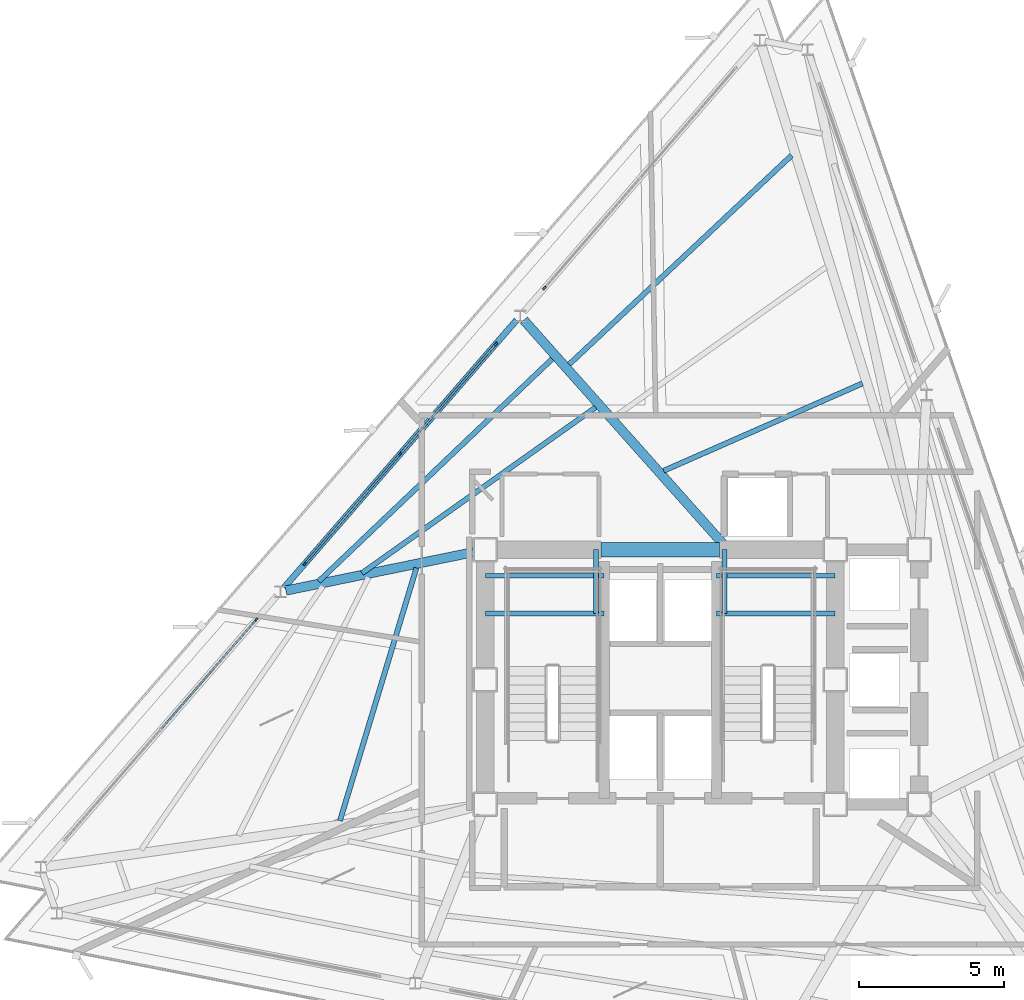
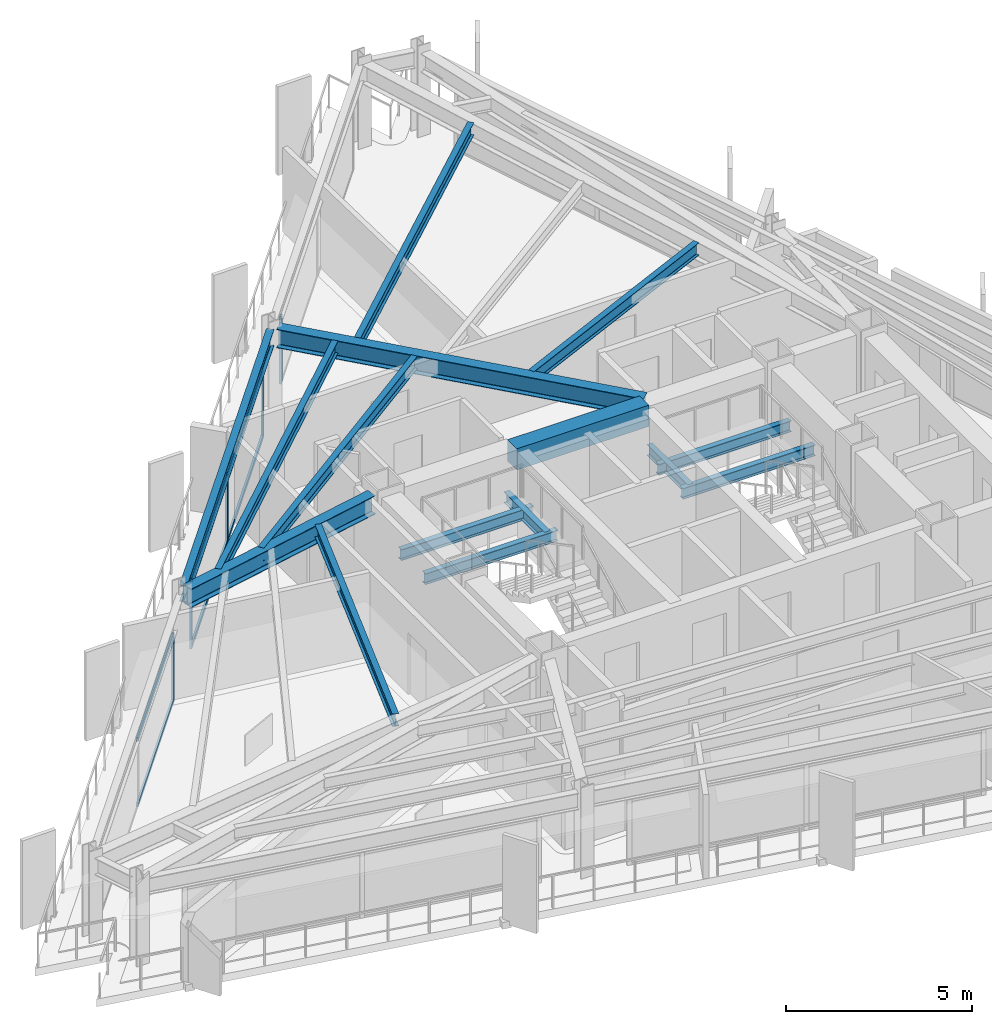
# One storey, part 4 of 13: 15 beams, 11 members, 3 elements without a shape of their own.
"""IFC4 building model written with IfcOpenShell, lengths in metres."""

from ifc_helpers import new_model, si_unit, direction, frame, origin, origin_2d, place, context, subcontext, project, spatial, rectangle, i_section, extrude, material, layer, layer_set, material_profile, profile_set, type_object, element, aggregate, save


model = new_model("IFC4")

# Units and contexts
model_context = context("Model", 3, precision=1e-05, world=origin(), true_north=direction((0.0, 1.0)))
body_context = subcontext(model_context, "Body", "Model", "MODEL_VIEW")
ifc_project = project(units=[si_unit("LENGTHUNIT", "METRE"), si_unit("AREAUNIT", "SQUARE_METRE"), si_unit("VOLUMEUNIT", "CUBIC_METRE"), si_unit("PLANEANGLEUNIT", "RADIAN"), si_unit("MASSUNIT", "GRAM", prefix="KILO")], contexts=[model_context])

# Site, building, storey
site_placement = place(None, origin())
site = spatial("IfcSite", under=ifc_project, at=site_placement, CompositionType="ELEMENT")
building_placement = place(site_placement, origin())
building = spatial("IfcBuilding", under=site, at=building_placement, Name="Rocaltana Carrier Exchange", CompositionType="ELEMENT")
storey_placement = place(building_placement, frame((0.0, 0.0, 156.320068359375)))
storey = spatial("IfcBuildingStorey", under=building, at=storey_placement, Name="L49", CompositionType="ELEMENT", Elevation=156.320068359375)

# Curtain wall, member
ifc_material_1 = material(Name="Aluminium 6063-T6", Category="aluminium")
ifc_layer = layer(ifc_material_1, 0.135009765625)
ifc_layer_set = layer_set([ifc_layer], Name="Aluminium 6063-T6")
curtain_wall_type = type_object("IfcCurtainWallType", Name="Upper-Mid Acoustic Curtain Wall CW-04", PredefinedType="NOTDEFINED", material=ifc_layer_set)
curtain_wall_1_placement = place(storey_placement, origin())
curtain_wall_1 = element("IfcCurtainWall", 1, at=curtain_wall_1_placement, inside=storey, type_object=curtain_wall_type, Name="L49 CW-04 Run CW-L49-F2S1", PredefinedType="NOTDEFINED")
ifc_material_2 = material(Name="Aluminium 6063-T6", Category="aluminium")
ifc_material_profile_1 = material_profile(ifc_material_2, rectangle(XDim=0.06494140625, YDim=0.135009765625, at=origin_2d()), Name="AL-65X135")
ifc_profile_set_1 = profile_set([ifc_material_profile_1], Name="Aluminium 6063-T6")
member_type_1 = type_object("IfcMemberType", Name="CW-04 Mullion AL-65X135", PredefinedType="MULLION", material=ifc_profile_set_1)
member_1_placement = place(storey_placement, frame((-4.005859375, 13.55126953125, 0.0), z_axis=(0.0, 0.0, 1.0), x_axis=(0.75471173919, -0.656056545375, 0.0)))
member_1 = element("IfcMember", 2, at=member_1_placement, type_object=member_type_1, Name="CW-04 mullion 3", PredefinedType="MULLION", context=body_context, shape_type="SweptSolid", body=[
    extrude(rectangle(XDim=0.06494140625, YDim=0.135009765625, at=origin_2d()), origin(), (0.0, 0.0, 1.0), 2.218017578125),
])
aggregate(curtain_wall_1, [member_1])

# Curtain wall, members
curtain_wall_2_placement = place(storey_placement, origin())
curtain_wall_2 = element("IfcCurtainWall", 3, at=curtain_wall_2_placement, inside=storey, type_object=curtain_wall_type, Name="L49 CW-04 Run CW-L49-F2S2", PredefinedType="NOTDEFINED")
member_2_placement = place(storey_placement, frame((-5.688720703125, 11.615478515625, 0.0), z_axis=(0.0, 0.0, 1.0), x_axis=(0.75471173919, -0.656056545375, 0.0)))
member_2 = element("IfcMember", 4, at=member_2_placement, type_object=member_type_1, Name="CW-04 mullion 1", PredefinedType="MULLION", context=body_context, shape_type="SweptSolid", body=[
    extrude(rectangle(XDim=0.06494140625, YDim=0.135009765625, at=origin_2d()), origin(), (0.0, 0.0, 1.0), 2.218017578125),
])
member_3_placement = place(storey_placement, frame((-8.9912109375, 7.816162109375, 0.0), z_axis=(0.0, 0.0, 1.0), x_axis=(0.75471173919, -0.656056545375, 0.0)))
member_3 = element("IfcMember", 5, at=member_3_placement, type_object=member_type_1, Name="CW-04 mullion 2", PredefinedType="MULLION", context=body_context, shape_type="SweptSolid", body=[
    extrude(rectangle(XDim=0.06494140625, YDim=0.135009765625, at=origin_2d()), origin(), (0.0, 0.0, 1.0), 2.218017578125),
])
member_4_placement = place(storey_placement, frame((-12.2939453125, 4.016845703125, 0.0), z_axis=(0.0, 0.0, 1.0), x_axis=(0.75471173919, -0.656056545375, 0.0)))
member_4 = element("IfcMember", 6, at=member_4_placement, type_object=member_type_1, Name="CW-04 mullion 3", PredefinedType="MULLION", context=body_context, shape_type="SweptSolid", body=[
    extrude(rectangle(XDim=0.06494140625, YDim=0.135009765625, at=origin_2d()), origin(), (0.0, 0.0, 1.0), 2.218017578125),
])

# Curtain wall, member
curtain_wall_3_placement = place(storey_placement, origin())
curtain_wall_3 = element("IfcCurtainWall", 7, at=curtain_wall_3_placement, inside=storey, type_object=curtain_wall_type, Name="L49 CW-04 Run CW-L49-F2S3", PredefinedType="NOTDEFINED")
member_5_placement = place(storey_placement, frame((-13.976806640625, 2.080810546875, 0.0), z_axis=(0.0, 0.0, 1.0), x_axis=(0.75471173919, -0.656056545375, 0.0)))
member_5 = element("IfcMember", 8, at=member_5_placement, type_object=member_type_1, Name="CW-04 mullion 1", PredefinedType="MULLION", context=body_context, shape_type="SweptSolid", body=[
    extrude(rectangle(XDim=0.06494140625, YDim=0.135009765625, at=origin_2d()), origin(), (0.0, 0.0, 1.0), 2.218017578125),
])

# Member
ifc_material_3 = material(Name="Aluminium 6063-T6", Category="aluminium")
ifc_material_profile_2 = material_profile(ifc_material_3, rectangle(XDim=0.06494140625, YDim=0.135009765625, at=origin_2d()), Name="AL-65X135")
ifc_profile_set_2 = profile_set([ifc_material_profile_2], Name="Aluminium 6063-T6")
member_type_2 = type_object("IfcMemberType", Name="CW-04 Transom AL-65X135", PredefinedType="USERDEFINED", material=ifc_profile_set_2)
member_6_placement = place(storey_placement, frame((-5.7099609375, 11.5908203125, 0.032470703125), z_axis=(-0.656055850486, -0.754712343243, 0.0), x_axis=(0.754712343243, -0.656055850486, 0.0)))
member_6 = element("IfcMember", 9, at=member_6_placement, type_object=member_type_2, Name="CW-04 transom 1.1", ObjectType="TRANSOM", PredefinedType="USERDEFINED", context=body_context, shape_type="SweptSolid", body=[
    extrude(rectangle(XDim=0.06494140625, YDim=0.135009765625, at=origin_2d()), origin(), (0.0, 0.0, 1.0), 4.968994140625),
])

member_7_placement = place(storey_placement, frame((-5.7099609375, 11.5908203125, 2.185546875), z_axis=(-0.656055850486, -0.754712343243, 0.0), x_axis=(0.754712343243, -0.656055850486, 0.0)))
member_7 = element("IfcMember", 10, at=member_7_placement, type_object=member_type_2, Name="CW-04 transom 1.2", ObjectType="TRANSOM", PredefinedType="USERDEFINED", context=body_context, shape_type="SweptSolid", body=[
    extrude(rectangle(XDim=0.06494140625, YDim=0.135009765625, at=origin_2d()), origin(), (0.0, 0.0, 1.0), 4.968994140625),
])

member_8_placement = place(storey_placement, frame((-9.0126953125, 7.79150390625, 0.032470703125), z_axis=(-0.656055850486, -0.754712343243, 0.0), x_axis=(0.754712343243, -0.656055850486, 0.0)))
member_8 = element("IfcMember", 11, at=member_8_placement, type_object=member_type_2, Name="CW-04 transom 2.1", ObjectType="TRANSOM", PredefinedType="USERDEFINED", context=body_context, shape_type="SweptSolid", body=[
    extrude(rectangle(XDim=0.06494140625, YDim=0.135009765625, at=origin_2d()), origin(), (0.0, 0.0, 1.0), 4.968994140625),
])

member_9_placement = place(storey_placement, frame((-9.0126953125, 7.79150390625, 2.185546875), z_axis=(-0.656055850486, -0.754712343243, 0.0), x_axis=(0.754712343243, -0.656055850486, 0.0)))
member_9 = element("IfcMember", 12, at=member_9_placement, type_object=member_type_2, Name="CW-04 transom 2.2", ObjectType="TRANSOM", PredefinedType="USERDEFINED", context=body_context, shape_type="SweptSolid", body=[
    extrude(rectangle(XDim=0.06494140625, YDim=0.135009765625, at=origin_2d()), origin(), (0.0, 0.0, 1.0), 4.968994140625),
])

aggregate(curtain_wall_2, [member_2, member_3, member_4, member_6, member_7, member_8, member_9])

member_10_placement = place(storey_placement, frame((-13.998046875, 2.056396484375, 0.032470703125), z_axis=(-0.656055850486, -0.754712343243, 0.0), x_axis=(0.754712343243, -0.656055850486, 0.0)))
member_10 = element("IfcMember", 13, at=member_10_placement, type_object=member_type_2, Name="CW-04 transom 1.1", ObjectType="TRANSOM", PredefinedType="USERDEFINED", context=body_context, shape_type="SweptSolid", body=[
    extrude(rectangle(XDim=0.06494140625, YDim=0.135009765625, at=origin_2d()), origin(), (0.0, 0.0, 1.0), 4.968994140625),
])

member_11_placement = place(storey_placement, frame((-13.998046875, 2.056396484375, 2.185546875), z_axis=(-0.656055850486, -0.754712343243, 0.0), x_axis=(0.754712343243, -0.656055850486, 0.0)))
member_11 = element("IfcMember", 14, at=member_11_placement, type_object=member_type_2, Name="CW-04 transom 1.2", ObjectType="TRANSOM", PredefinedType="USERDEFINED", context=body_context, shape_type="SweptSolid", body=[
    extrude(rectangle(XDim=0.06494140625, YDim=0.135009765625, at=origin_2d()), origin(), (0.0, 0.0, 1.0), 4.968994140625),
])

aggregate(curtain_wall_3, [member_5, member_10, member_11])

# Beams
ifc_material_4 = material(Name="Concrete C60/75", Category="concrete")
ifc_material_profile_3 = material_profile(ifc_material_4, rectangle(XDim=0.5, YDim=0.699951171875, at=origin_2d()), Name="RC-BM-500X700")
ifc_profile_set_3 = profile_set([ifc_material_profile_3], Name="Concrete C60/75")
beam_type_1 = type_object("IfcBeamType", Name="Core Coupling Lintel 500x700", PredefinedType="LINTEL", material=ifc_profile_set_3)
beam_1_placement = place(storey_placement, frame((-2.050048828125, 4.5, 2.43798828125), z_axis=(1.0, 0.0, 0.0), x_axis=(0.0, 1.0, 0.0)))
element("IfcBeam", 15, at=beam_1_placement, inside=storey, type_object=beam_type_1, Name="L49 Core Coupling Lintel CL-N", PredefinedType="LINTEL", context=body_context, shape_type="SweptSolid", body=[
    extrude(rectangle(XDim=0.5, YDim=0.699951171875, at=origin_2d()), origin(), (0.0, 0.0, 1.0), 4.10009765625),
])
ifc_material_5 = material(Name="Steel S355", Category="steel")
ifc_material_profile_4 = material_profile(ifc_material_5, i_section(OverallWidth=0.172119140625, OverallDepth=0.35791015625, WebThickness=0.0078125, FlangeThickness=0.01318359375, FilletRadius=0.011962890625, at=origin_2d()), Name="W14X38")
ifc_profile_set_4 = profile_set([ifc_material_profile_4], Name="Steel S355")
beam_type_2 = type_object("IfcBeamType", Name="Floor Joist W14X38", PredefinedType="JOIST", material=ifc_profile_set_4)
for number, where, z_axis, x_axis, name in (
    (16, (-6.050048828125, 2.300048828125, 1.140869140625), (1.0, 0.0, 0.0), (0.0, 1.0, 0.0), "L49 ST-1 Landing Carrier 1"),
    (17, (1.93994140625, 2.300048828125, 1.140869140625), (1.0, 0.0, 0.0), (0.0, 1.0, 0.0), "L49 ST-2 Landing Carrier 1"),
    (18, (-6.050048828125, 3.60009765625, 1.140869140625), (1.0, 0.0, 0.0), (0.0, 1.0, 0.0), "L49 ST-1 Landing Carrier 2"),
    (19, (1.93994140625, 3.60009765625, 1.140869140625), (1.0, 0.0, 0.0), (0.0, 1.0, 0.0), "L49 ST-2 Landing Carrier 2"),
):
    element("IfcBeam", number, at=place(storey_placement, frame(where, z_axis=z_axis, x_axis=x_axis)), inside=storey, type_object=beam_type_2, Name=name, PredefinedType="JOIST", context=body_context, shape_type="SweptSolid", body=[
        extrude(i_section(OverallWidth=0.172119140625, OverallDepth=0.35791015625, WebThickness=0.0078125, FlangeThickness=0.01318359375, FilletRadius=0.011962890625, at=origin_2d()), origin(), (0.0, 0.0, 1.0), 4.110107421875),
    ])
for number, where, z_axis, x_axis, name in (
    (20, (-2.219970703125, 2.300048828125, 1.140869140625), (0.0, 1.0, 0.0), (-1.0, 0.0, 0.0), "L49 ST-1 Landing Cross Trimmer"),
    (21, (2.219970703125, 2.300048828125, 1.140869140625), (0.0, 1.0, 0.0), (-1.0, 0.0, 0.0), "L49 ST-2 Landing Cross Trimmer"),
):
    element("IfcBeam", number, at=place(storey_placement, frame(where, z_axis=z_axis, x_axis=x_axis)), inside=storey, type_object=beam_type_2, Name=name, PredefinedType="JOIST", context=body_context, shape_type="SweptSolid", body=[
        extrude(i_section(OverallWidth=0.172119140625, OverallDepth=0.35791015625, WebThickness=0.0078125, FlangeThickness=0.01318359375, FilletRadius=0.011962890625, at=origin_2d()), origin(), (0.0, 0.0, 1.0), 2.199951171875),
    ])
ifc_material_6 = material(Name="Steel S355", Category="steel")
ifc_material_profile_5 = material_profile(ifc_material_6, i_section(OverallWidth=0.179931640625, OverallDepth=0.4130859375, WebThickness=0.009765625, FlangeThickness=0.01611328125, FilletRadius=0.012939453125, at=origin_2d()), Name="W16X50")
ifc_profile_set_5 = profile_set([ifc_material_profile_5], Name="Steel S355")
beam_type_3 = type_object("IfcBeamType", Name="Floor Joist W16X50", PredefinedType="JOIST", material=ifc_profile_set_5)
beam_2_placement = place(storey_placement, frame((6.9892578125, 10.251220703125, 2.58154296875), z_axis=(-0.915437763767, -0.402459564018, 0.0), x_axis=(0.402459564018, -0.915437763767, 0.0)))
element("IfcBeam", 22, at=beam_2_placement, inside=storey, type_object=beam_type_3, Name="FJ-L49-05-1", PredefinedType="JOIST", context=body_context, shape_type="SweptSolid", body=[
    extrude(i_section(OverallWidth=0.179931640625, OverallDepth=0.4130859375, WebThickness=0.009765625, FlangeThickness=0.01611328125, FilletRadius=0.012939453125, at=origin_2d()), origin(), (0.0, 0.0, 1.0), 7.50634765625),
])
beam_3_placement = place(storey_placement, frame((4.539306640625, 18.135009765625, 2.58154296875), z_axis=(-0.728861369792, -0.684661305774, 0.0), x_axis=(0.684661305774, -0.728861369792, 0.0)))
element("IfcBeam", 23, at=beam_3_placement, inside=storey, type_object=beam_type_3, Name="FJ-L49-05-3", PredefinedType="JOIST", context=body_context, shape_type="SweptSolid", body=[
    extrude(i_section(OverallWidth=0.179931640625, OverallDepth=0.4130859375, WebThickness=0.009765625, FlangeThickness=0.01611328125, FilletRadius=0.012939453125, at=origin_2d()), origin(), (0.0, 0.0, 1.0), 10.550048828125),
])
beam_4_placement = place(storey_placement, frame((-2.239501953125, 9.42138671875, 2.58154296875), z_axis=(-0.815531916739, -0.578712098353, 0.0), x_axis=(0.578712098353, -0.815531916739, 0.0)))
element("IfcBeam", 24, at=beam_4_placement, inside=storey, type_object=beam_type_3, Name="FJ-L49-06-2", PredefinedType="JOIST", context=body_context, shape_type="SweptSolid", body=[
    extrude(i_section(OverallWidth=0.179931640625, OverallDepth=0.4130859375, WebThickness=0.009765625, FlangeThickness=0.01611328125, FilletRadius=0.012939453125, at=origin_2d()), origin(), (0.0, 0.0, 1.0), 9.90283203125),
])
beam_5_placement = place(storey_placement, frame((-3.736572265625, 11.1015625, 2.58154296875), z_axis=(-0.724047932372, -0.689749658665, 0.0), x_axis=(0.689749658665, -0.724047932372, 0.0)))
element("IfcBeam", 25, at=beam_5_placement, inside=storey, type_object=beam_type_3, Name="FJ-L49-06-3", PredefinedType="JOIST", context=body_context, shape_type="SweptSolid", body=[
    extrude(i_section(OverallWidth=0.179931640625, OverallDepth=0.4130859375, WebThickness=0.009765625, FlangeThickness=0.01611328125, FilletRadius=0.012939453125, at=origin_2d()), origin(), (0.0, 0.0, 1.0), 11.161376953125),
])
beam_6_placement = place(storey_placement, frame((-8.433349609375, 3.871826171875, 2.58154296875), z_axis=(-0.289517060533, -0.957172853596, 0.0), x_axis=(0.957172853596, -0.289517060533, 0.0)))
element("IfcBeam", 26, at=beam_6_placement, inside=storey, type_object=beam_type_3, Name="FJ-L49-07-1", PredefinedType="JOIST", context=body_context, shape_type="SweptSolid", body=[
    extrude(i_section(OverallWidth=0.179931640625, OverallDepth=0.4130859375, WebThickness=0.009765625, FlangeThickness=0.01611328125, FilletRadius=0.012939453125, at=origin_2d()), origin(), (0.0, 0.0, 1.0), 9.135009765625),
])
ifc_material_7 = material(Name="Steel S355", Category="steel")
ifc_material_profile_6 = material_profile(ifc_material_7, i_section(OverallWidth=0.323974609375, OverallDepth=0.611083984375, WebThickness=0.0126953125, FlangeThickness=0.01904296875, FilletRadius=0.01611328125, at=origin_2d()), Name="W24X104")
ifc_profile_set_6 = profile_set([ifc_material_profile_6], Name="Steel S355")
beam_type_4 = type_object("IfcBeamType", Name="Radial Girder W24X104", PredefinedType="BEAM", material=ifc_profile_set_6)
beam_7_placement = place(storey_placement, frame((2.189208984375, 4.6806640625, 2.482421875), z_axis=(-0.664999508704, 0.746843794527, 0.0), x_axis=(-0.746843794527, -0.664999508704, 0.0)))
element("IfcBeam", 27, at=beam_7_placement, inside=storey, type_object=beam_type_4, Name="RG-L49-06", PredefinedType="BEAM", context=body_context, shape_type="SweptSolid", body=[
    extrude(i_section(OverallWidth=0.323974609375, OverallDepth=0.611083984375, WebThickness=0.0126953125, FlangeThickness=0.01904296875, FilletRadius=0.01611328125, at=origin_2d()), origin(), (0.0, 0.0, 1.0), 10.3896484375),
])
beam_8_placement = place(storey_placement, frame((-6.45849609375, 4.416259765625, 2.482421875), z_axis=(-0.979662930215, -0.200650300681, 0.0), x_axis=(0.200650300681, -0.979662930215, 0.0)))
element("IfcBeam", 28, at=beam_8_placement, inside=storey, type_object=beam_type_4, Name="RG-L49-07", PredefinedType="BEAM", context=body_context, shape_type="SweptSolid", body=[
    extrude(i_section(OverallWidth=0.323974609375, OverallDepth=0.611083984375, WebThickness=0.0126953125, FlangeThickness=0.01904296875, FilletRadius=0.01611328125, at=origin_2d()), origin(), (0.0, 0.0, 1.0), 6.6240234375),
])
ifc_material_8 = material(Name="Steel S355", Category="steel")
ifc_material_profile_7 = material_profile(ifc_material_8, i_section(OverallWidth=0.2119140625, OverallDepth=0.5439453125, WebThickness=0.01318359375, FlangeThickness=0.021240234375, FilletRadius=0.014892578125, at=origin_2d()), Name="W21X83")
ifc_profile_set_7 = profile_set([ifc_material_profile_7], Name="Steel S355")
beam_type_5 = type_object("IfcBeamType", Name="Spandrel Edge Beam W21X83", PredefinedType="SPANDREL", material=ifc_profile_set_7)
beam_9_placement = place(storey_placement, frame((-4.972900390625, 12.438720703125, 2.515869140625), z_axis=(-0.656058807926, -0.754709772391, 0.0), x_axis=(0.754709772391, -0.656058807926, 0.0)))
element("IfcBeam", 29, at=beam_9_placement, inside=storey, type_object=beam_type_5, Name="SP-L49-06", PredefinedType="SPANDREL", context=body_context, shape_type="SweptSolid", body=[
    extrude(i_section(OverallWidth=0.2119140625, OverallDepth=0.5439453125, WebThickness=0.01318359375, FlangeThickness=0.021240234375, FilletRadius=0.014892578125, at=origin_2d()), origin(), (0.0, 0.0, 1.0), 12.250244140625),
])

save(model, "model.ifc")
